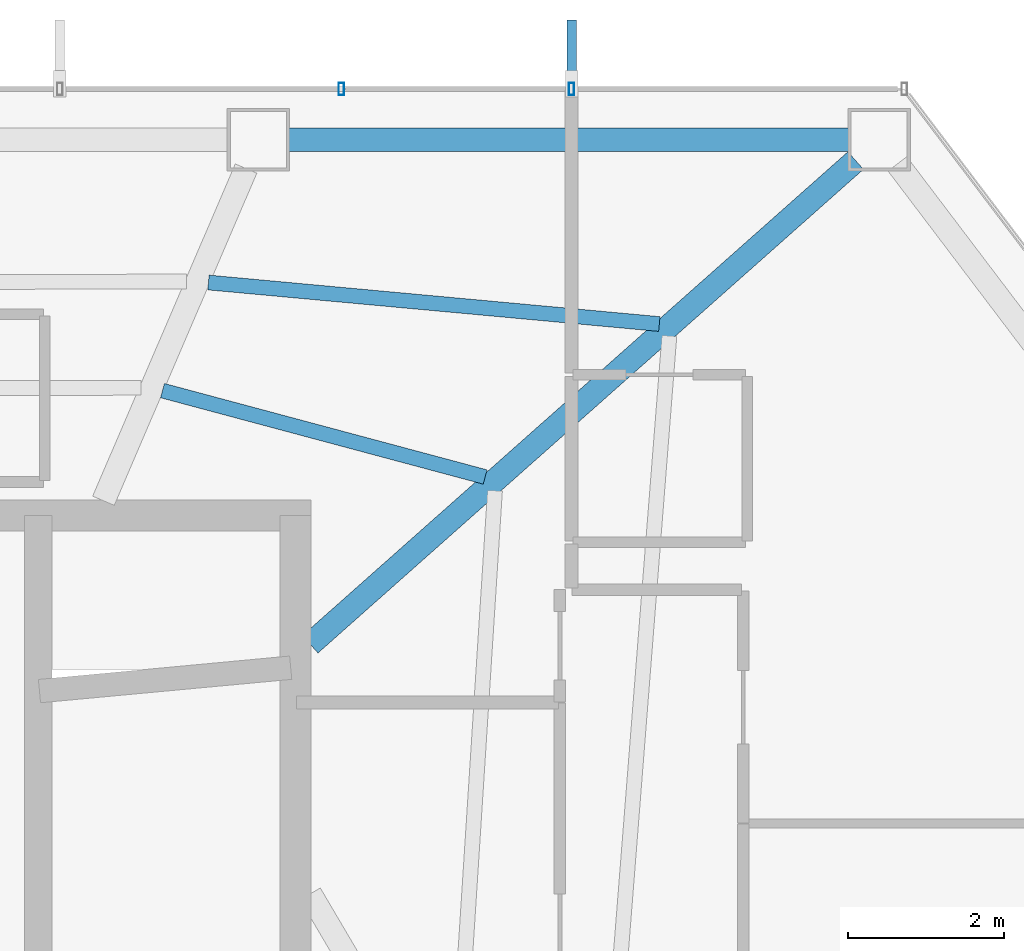
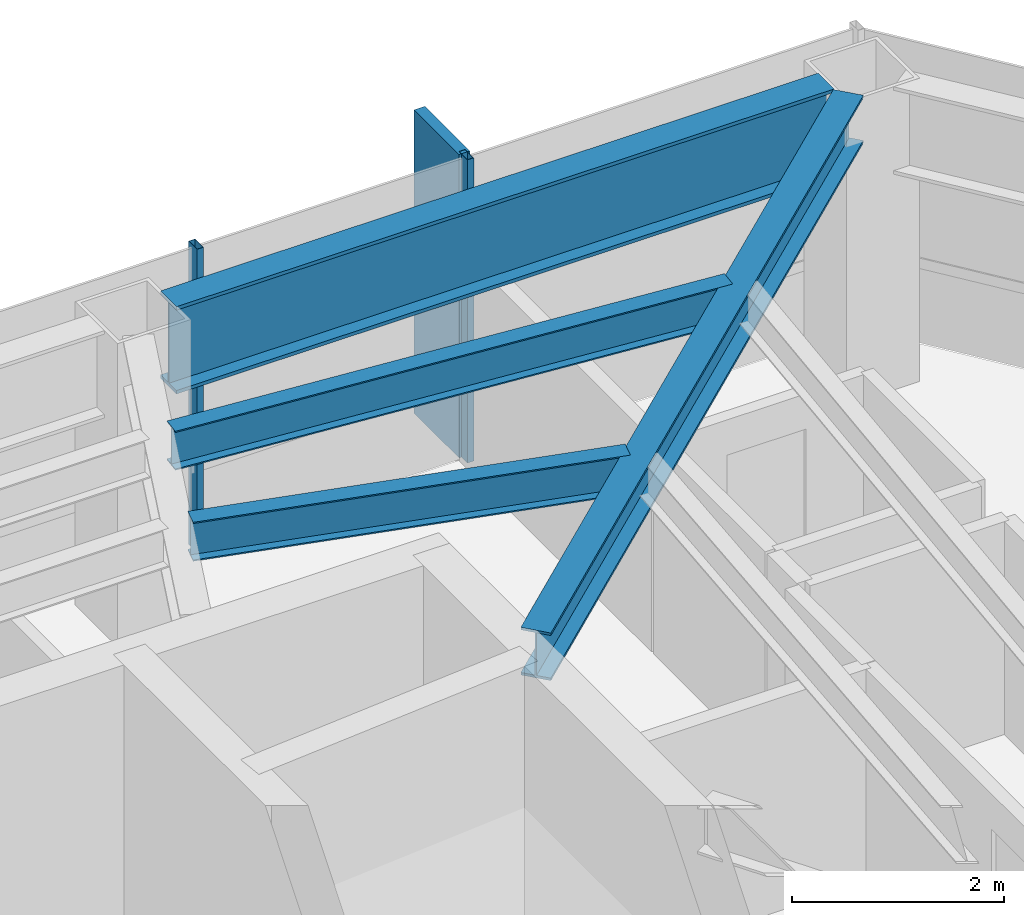
# One storey, part 22 of 28: 4 beams, 3 members, 1 element without a shape of its own.
"""IFC4 building model written with IfcOpenShell, lengths in metres."""

from ifc_helpers import new_model, si_unit, direction, frame, origin, origin_2d, place, context, subcontext, project, spatial, rectangle, hollow_rectangle, i_section, extrude, material, layer, layer_set, material_profile, profile_set, type_object, element, aggregate, save


model = new_model("IFC4")

# Units and contexts
model_context = context("Model", 3, precision=1e-05, world=origin(), true_north=direction((0.0, 1.0)))
body_context = subcontext(model_context, "Body", "Model", "MODEL_VIEW")
ifc_project = project(units=[si_unit("LENGTHUNIT", "METRE"), si_unit("AREAUNIT", "SQUARE_METRE"), si_unit("VOLUMEUNIT", "CUBIC_METRE"), si_unit("PLANEANGLEUNIT", "RADIAN"), si_unit("MASSUNIT", "GRAM", prefix="KILO")], contexts=[model_context])

# Site, building, storey
site_placement = place(None, origin())
site = spatial("IfcSite", under=ifc_project, at=site_placement, CompositionType="ELEMENT")
building_placement = place(site_placement, origin())
building = spatial("IfcBuilding", under=site, at=building_placement, Name="Zarrinselat Tower", CompositionType="ELEMENT")
storey_placement = place(building_placement, frame((0.0, 0.0, 157.080078125)))
storey = spatial("IfcBuildingStorey", under=building, at=storey_placement, Name="L38", CompositionType="ELEMENT", Elevation=157.080078125)

# Beams
ifc_material_1 = material(Name="Steel S355J2", Category="steel")
ifc_material_profile_1 = material_profile(ifc_material_1, i_section(OverallWidth=0.300048828125, OverallDepth=0.550048828125, WebThickness=0.014892578125, FlangeThickness=0.029052734375, at=origin_2d()), Name="HEB 550")
ifc_profile_set_1 = profile_set([ifc_material_profile_1], Name="Steel S355J2")
beam_type_1 = type_object("IfcBeamType", Name="BM-HEB550", PredefinedType="BEAM", material=ifc_profile_set_1)
beam_1_placement = place(storey_placement, frame((48.449951171875, 41.800048828125, 3.224853515625), z_axis=(0.748188638994, 0.663486066531, 0.0), x_axis=(-0.663486066531, 0.748188638994, 0.0)))
element("IfcBeam", 1, at=beam_1_placement, inside=storey, type_object=beam_type_1, Name="L38 Radial Primary Girder RG01", PredefinedType="BEAM", context=body_context, shape_type="SweptSolid", body=[
    extrude(i_section(OverallWidth=0.300048828125, OverallDepth=0.550048828125, WebThickness=0.014892578125, FlangeThickness=0.029052734375, at=origin_2d()), origin(), (0.0, 0.0, 1.0), 9.344482421875),
])
ifc_material_2 = material(Name="Steel S460M", Category="steel")
ifc_material_profile_2 = material_profile(ifc_material_2, i_section(OverallWidth=0.302001953125, OverallDepth=1.008056640625, WebThickness=0.02099609375, FlangeThickness=0.0400390625, at=origin_2d()), Name="HEM 1000")
ifc_profile_set_2 = profile_set([ifc_material_profile_2], Name="Steel S460M")
beam_type_2 = type_object("IfcBeamType", Name="BM-HEM1000", PredefinedType="BEAM", material=ifc_profile_set_2)
beam_2_placement = place(storey_placement, frame((48.174072265625, 48.2666015625, 2.995849609375), z_axis=(1.0, 0.0, 0.0), x_axis=(0.0, 1.0, 0.0)))
element("IfcBeam", 2, at=beam_2_placement, inside=storey, type_object=beam_type_2, Name="L38 Perimeter Spandrel Girder SP01", PredefinedType="BEAM", context=body_context, shape_type="SweptSolid", body=[
    extrude(i_section(OverallWidth=0.302001953125, OverallDepth=1.008056640625, WebThickness=0.02099609375, FlangeThickness=0.0400390625, at=origin_2d()), origin(), (0.0, 0.0, 1.0), 7.18017578125),
])
ifc_material_3 = material(Name="Steel S355J2", Category="steel")
ifc_material_profile_3 = material_profile(ifc_material_3, i_section(OverallWidth=0.18994140625, OverallDepth=0.449951171875, WebThickness=0.009521484375, FlangeThickness=0.0146484375, at=origin_2d()), Name="IPE 450")
ifc_profile_set_3 = profile_set([ifc_material_profile_3], Name="Steel S355J2")
beam_type_3 = type_object("IfcBeamType", Name="BM-IPE450", PredefinedType="JOIST", material=ifc_profile_set_3)
beam_3_placement = place(storey_placement, frame((47.1455078125, 46.43701171875, 3.27490234375), z_axis=(0.995786321909, -0.091703877229, 0.0), x_axis=(0.091703877229, 0.995786321909, 0.0)))
element("IfcBeam", 3, at=beam_3_placement, inside=storey, type_object=beam_type_3, Name="L38 Composite Floor Joist 5-1", PredefinedType="JOIST", context=body_context, shape_type="SweptSolid", body=[
    extrude(i_section(OverallWidth=0.18994140625, OverallDepth=0.449951171875, WebThickness=0.009521484375, FlangeThickness=0.0146484375, at=origin_2d()), origin(), (0.0, 0.0, 1.0), 5.8037109375),
])
beam_4_placement = place(storey_placement, frame((46.556640625, 45.05126953125, 3.27490234375), z_axis=(0.965976043374, -0.258631559612, 0.0), x_axis=(0.258631559612, 0.965976043374, 0.0)))
element("IfcBeam", 4, at=beam_4_placement, inside=storey, type_object=beam_type_3, Name="L38 Composite Floor Joist 5-2", PredefinedType="JOIST", context=body_context, shape_type="SweptSolid", body=[
    extrude(i_section(OverallWidth=0.18994140625, OverallDepth=0.449951171875, WebThickness=0.009521484375, FlangeThickness=0.0146484375, at=origin_2d()), origin(), (0.0, 0.0, 1.0), 4.281005859375),
])

# Curtain wall, members
ifc_material_4 = material(Name="Extruded Aluminium Alloy EN AW-6063 T6", Category="aluminium")
ifc_layer = layer(ifc_material_4, 0.175048828125)
ifc_layer_set = layer_set([ifc_layer], Name="Extruded Aluminium Alloy EN AW-6063 T6")
curtain_wall_type = type_object("IfcCurtainWallType", Name="CWS-HTL", PredefinedType="NOTDEFINED", material=ifc_layer_set)
curtain_wall_placement = place(storey_placement, origin())
curtain_wall = element("IfcCurtainWall", 5, at=curtain_wall_placement, inside=storey, type_object=curtain_wall_type, Name="L38 Unitised Curtain Wall CW-L38-E03", PredefinedType="NOTDEFINED")
ifc_material_5 = material(Name="Extruded Aluminium Alloy EN AW-6063 T6", Category="aluminium")
ifc_material_profile_4 = material_profile(ifc_material_5, hollow_rectangle(XDim=0.070068359375, YDim=0.159912109375, WallThickness=0.00390625, at=origin_2d()), Name="RHS 160x70x4")
ifc_profile_set_4 = profile_set([ifc_material_profile_4], Name="Extruded Aluminium Alloy EN AW-6063 T6")
member_type_1 = type_object("IfcMemberType", Name="MEM-CW-MUL2", PredefinedType="MULLION", material=ifc_profile_set_4)
member_1_placement = place(storey_placement, frame((48.849609375, 48.916748046875, 0.0), z_axis=(0.0, 0.0, 1.0), x_axis=(1.0, 0.0, 0.0)))
member_1 = element("IfcMember", 6, at=member_1_placement, type_object=member_type_1, Name="CW-L38-E03 Mullion 8", PredefinedType="MULLION", context=body_context, shape_type="SweptSolid", body=[
    extrude(hollow_rectangle(XDim=0.070068359375, YDim=0.159912109375, WallThickness=0.00390625, at=origin_2d()), origin(), (0.0, 0.0, 1.0), 3.5),
])
member_2_placement = place(storey_placement, frame((51.800048828125, 48.916748046875, 0.0), z_axis=(0.0, 0.0, 1.0), x_axis=(1.0, 0.0, 0.0)))
member_2 = element("IfcMember", 7, at=member_2_placement, type_object=member_type_1, Name="CW-L38-E03 Mullion 9", PredefinedType="MULLION", context=body_context, shape_type="SweptSolid", body=[
    extrude(hollow_rectangle(XDim=0.070068359375, YDim=0.159912109375, WallThickness=0.00390625, at=origin_2d()), origin(), (0.0, 0.0, 1.0), 3.5),
])
ifc_material_6 = material(Name="Honed Cream Travertine Stone", Category="masonry")
ifc_material_profile_5 = material_profile(ifc_material_6, rectangle(XDim=0.1201171875, YDim=0.85009765625, at=origin_2d()), Name="FIN 850x120")
ifc_profile_set_5 = profile_set([ifc_material_profile_5], Name="Honed Cream Travertine Stone")
member_type_2 = type_object("IfcMemberType", Name="MEM-STONE-FIN", PredefinedType="USERDEFINED", material=ifc_profile_set_5)
member_3_placement = place(storey_placement, frame((51.800048828125, 49.376708984375, 0.0), z_axis=(0.0, 0.0, 1.0), x_axis=(1.0, 0.0, 0.0)))
member_3 = element("IfcMember", 8, at=member_3_placement, type_object=member_type_2, Name="L38 Stone Shading Fin CW-L38-E03-09", ObjectType="FIN", PredefinedType="USERDEFINED", context=body_context, shape_type="SweptSolid", body=[
    extrude(rectangle(XDim=0.1201171875, YDim=0.85009765625, at=origin_2d()), origin(), (0.0, 0.0, 1.0), 3.5),
])
aggregate(curtain_wall, [member_1, member_2, member_3])

save(model, "model.ifc")
